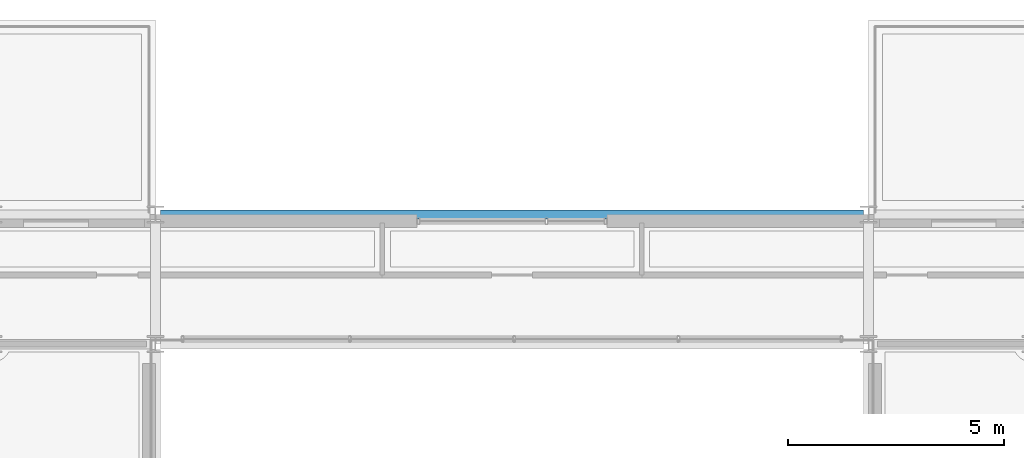
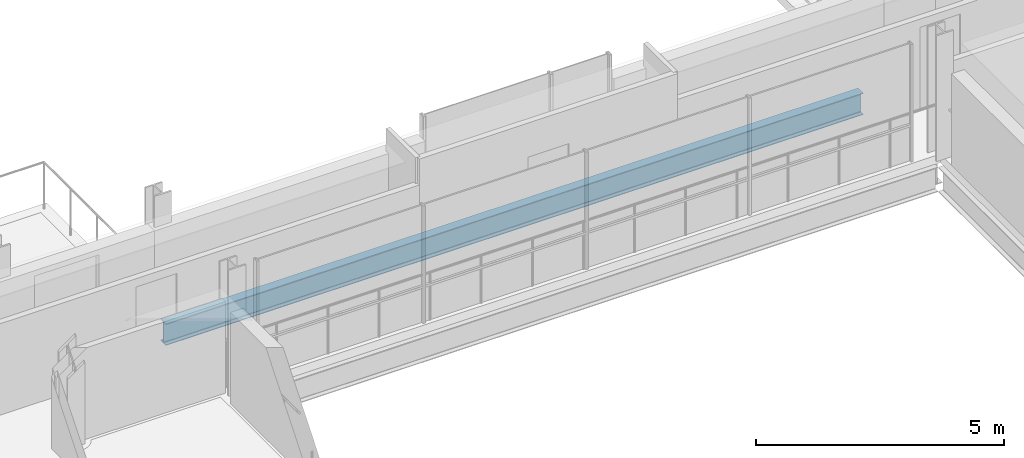
# One storey, part 12 of 38: 1 beam.
"""IFC4 building model written with IfcOpenShell, lengths in metres."""

from ifc_helpers import new_model, si_unit, direction, frame, origin, origin_2d, place, context, subcontext, project, spatial, i_section, extrude, material, material_profile, profile_set, type_object, element, save


model = new_model("IFC4")

# Units and contexts
model_context = context("Model", 3, precision=1e-05, world=origin(), true_north=direction((0.0, 1.0)))
body_context = subcontext(model_context, "Body", "Model", "MODEL_VIEW")
ifc_project = project(units=[si_unit("LENGTHUNIT", "METRE"), si_unit("AREAUNIT", "SQUARE_METRE"), si_unit("VOLUMEUNIT", "CUBIC_METRE"), si_unit("PLANEANGLEUNIT", "RADIAN"), si_unit("MASSUNIT", "GRAM", prefix="KILO")], contexts=[model_context])

# Site, building, storey
site_placement = place(None, origin())
site = spatial("IfcSite", under=ifc_project, at=site_placement, CompositionType="ELEMENT")
building_placement = place(site_placement, origin())
building = spatial("IfcBuilding", under=site, at=building_placement, Name="Brevholm Reach", CompositionType="ELEMENT")
storey_placement = place(building_placement, frame((0.0, 0.0, 172.800048828125)))
storey = spatial("IfcBuildingStorey", under=building, at=storey_placement, Name="L52", CompositionType="ELEMENT", Elevation=172.800048828125)

# Beam
ifc_material = material(Name="Structural Steel S355J2", Category="steel")
ifc_material_profile = material_profile(ifc_material, i_section(OverallWidth=0.209228515625, OverallDepth=0.533203125, WebThickness=0.010009765625, FlangeThickness=0.015625, FilletRadius=0.0126953125, at=origin_2d()), Name="UKB 533x210x92")
ifc_profile_set = profile_set([ifc_material_profile], Name="Structural Steel S355J2")
beam_type = type_object("IfcBeamType", Name="BM-SP533", PredefinedType="SPANDREL", material=ifc_profile_set)
beam_placement = place(storey_placement, frame((21.8701171875, 26.5, -0.4765625), z_axis=(1.0, 0.0, 0.0), x_axis=(0.0, 1.0, 0.0)))
element("IfcBeam", 1, at=beam_placement, inside=storey, type_object=beam_type, Name="L52 SP-02 Framing Beam", PredefinedType="SPANDREL", context=body_context, shape_type="SweptSolid", body=[
    extrude(i_section(OverallWidth=0.209228515625, OverallDepth=0.533203125, WebThickness=0.010009765625, FlangeThickness=0.015625, FilletRadius=0.0126953125, at=origin_2d()), origin(), (0.0, 0.0, 1.0), 16.259765625),
])

save(model, "model.ifc")
